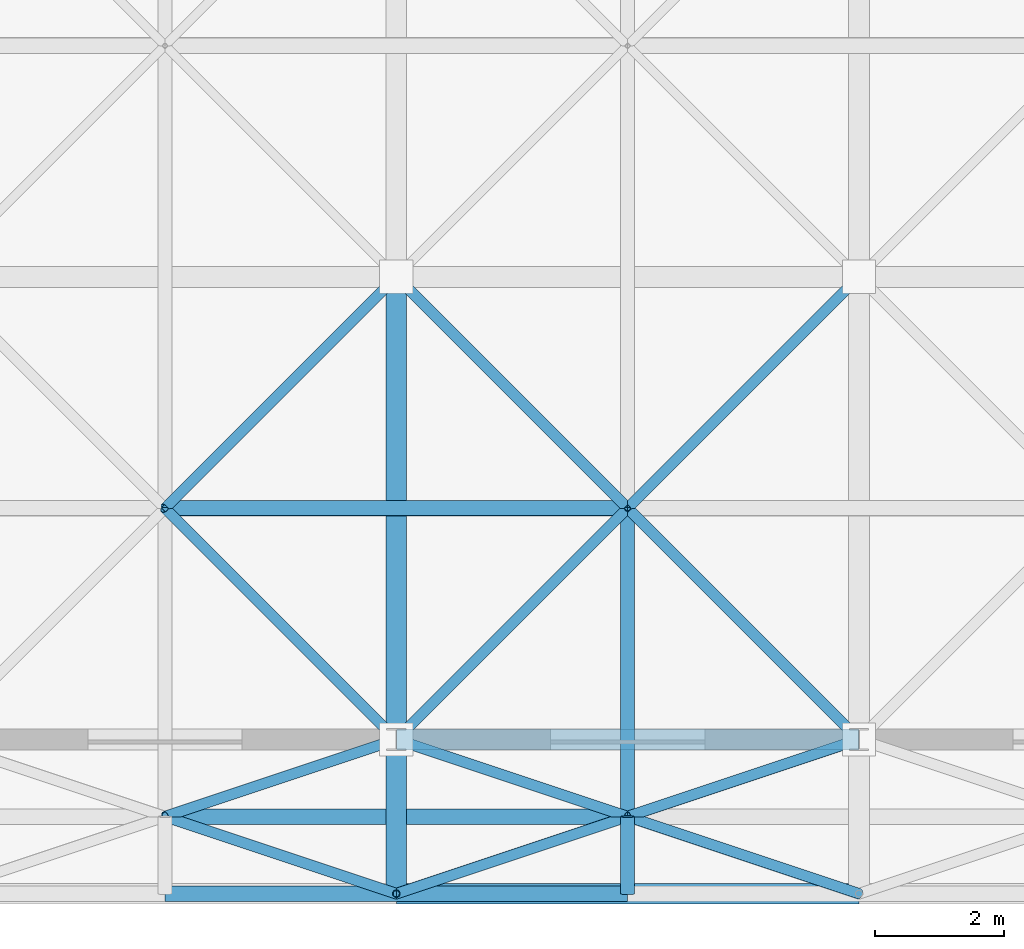
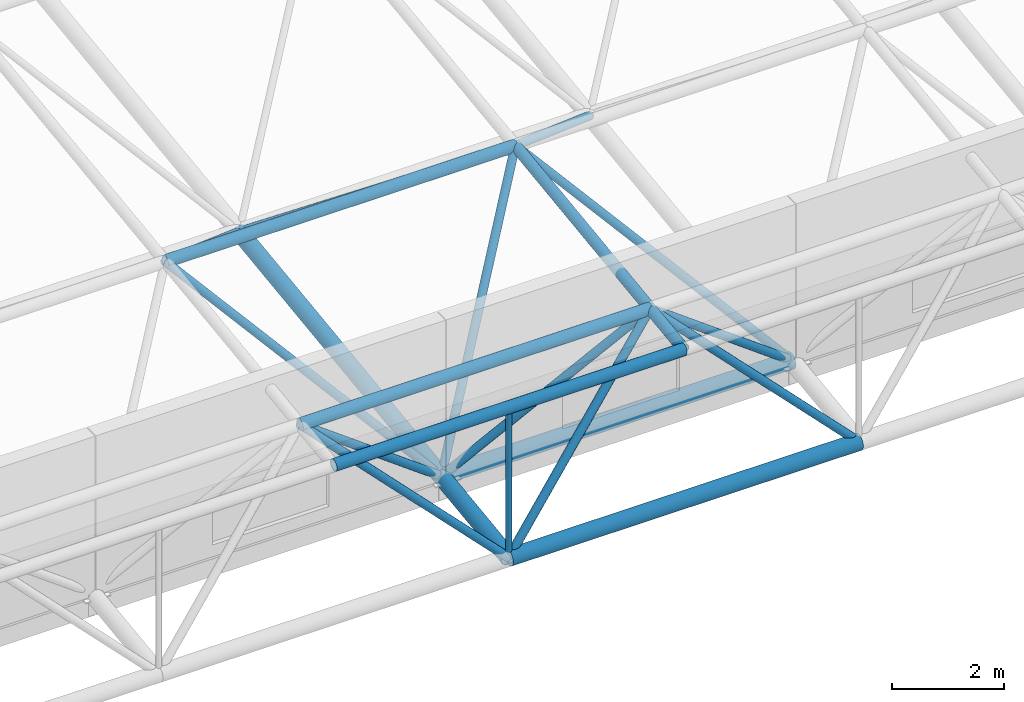
# One storey, part 45 of 103: 22 members.
"""IFC4 building model written with IfcOpenShell, lengths in metres."""

from ifc_helpers import new_model, si_unit, direction, frame, origin, origin_2d, place, context, subcontext, project, spatial, hollow_circle, extrude, material, material_profile, profile_set, type_object, element, save


model = new_model("IFC4")

# Units and contexts
model_context = context("Model", 3, precision=1e-05, world=origin(), true_north=direction((0.0, 1.0)))
body_context = subcontext(model_context, "Body", "Model", "MODEL_VIEW")
ifc_project = project(units=[si_unit("LENGTHUNIT", "METRE"), si_unit("AREAUNIT", "SQUARE_METRE"), si_unit("VOLUMEUNIT", "CUBIC_METRE"), si_unit("PLANEANGLEUNIT", "RADIAN"), si_unit("MASSUNIT", "GRAM", prefix="KILO")], contexts=[model_context])

# Site, building, storey
site_placement = place(None, origin())
site = spatial("IfcSite", under=ifc_project, at=site_placement, CompositionType="ELEMENT")
building_placement = place(site_placement, origin())
building = spatial("IfcBuilding", under=site, at=building_placement, Name="Thalmaran Polytechnic", CompositionType="ELEMENT")
storey_placement = place(building_placement, frame((0.0, 0.0, 14.39990234375)))
storey = spatial("IfcBuildingStorey", under=building, at=storey_placement, Name="L03", CompositionType="ELEMENT", Elevation=14.39990234375)

# Members
ifc_material = material(Name="Steel S355", Category="steel")
ifc_material_profile_1 = material_profile(ifc_material, hollow_circle(Radius=0.161865234375, WallThickness=0.012451171875, at=origin_2d()), Name="CHS 323.9x12.5")
ifc_profile_set_1 = profile_set([ifc_material_profile_1], Name="Steel S355")
member_type_1 = type_object("IfcMemberType", Name="MB-SFC0", PredefinedType="CHORD", material=ifc_profile_set_1)
member_1_placement = place(storey_placement, frame((129.60009765625, 0.0, 0.380126953125), z_axis=(1.0, 0.0, 0.0), x_axis=(0.0, 1.0, 0.0)))
element("IfcMember", 1, at=member_1_placement, inside=storey, type_object=member_type_1, Name="Space-Frame Bottom Chord X (3,1)", PredefinedType="CHORD", context=body_context, shape_type="SweptSolid", body=[
    extrude(hollow_circle(Radius=0.161865234375, WallThickness=0.012451171875, at=origin_2d()), origin(), (0.0, 0.0, 1.0), 7.199951171875),
])
ifc_material_profile_2 = material_profile(ifc_material, hollow_circle(Radius=0.122314453125, WallThickness=0.010009765625, at=origin_2d()), Name="CHS 244.5x10.0")
ifc_profile_set_2 = profile_set([ifc_material_profile_2], Name="Steel S355")
member_type_2 = type_object("IfcMemberType", Name="MB-SFC1", PredefinedType="CHORD", material=ifc_profile_set_2)
for number, where, z_axis, x_axis, name in (
    (2, (126.0, -2.39990234375, 3.334228515625), (1.0, 0.0, 0.0), (0.0, 1.0, 0.0), "Space-Frame Top Chord X (3,0)"),
    (3, (126.0, -1.199951171875, 3.4921875), (1.0, 0.0, 0.0), (0.0, 1.0, 0.0), "Space-Frame Top Chord X (3,1)"),
    (4, (126.0, 3.60009765625, 4.1240234375), (1.0, 0.0, 0.0), (0.0, 1.0, 0.0), "Space-Frame Top Chord X (3,2)"),
):
    element("IfcMember", number, at=place(storey_placement, frame(where, z_axis=z_axis, x_axis=x_axis)), inside=storey, type_object=member_type_2, Name=name, PredefinedType="CHORD", context=body_context, shape_type="SweptSolid", body=[
        extrude(hollow_circle(Radius=0.122314453125, WallThickness=0.010009765625, at=origin_2d()), origin(), (0.0, 0.0, 1.0), 7.199951171875),
    ])
ifc_material_profile_3 = material_profile(ifc_material, hollow_circle(Radius=0.109619140625, WallThickness=0.010009765625, at=origin_2d()), Name="CHS 219.1x10.0")
ifc_profile_set_3 = profile_set([ifc_material_profile_3], Name="Steel S355")
member_type_3 = type_object("IfcMemberType", Name="MB-SFC2", PredefinedType="CHORD", material=ifc_profile_set_3)
member_2_placement = place(storey_placement, frame((133.199951171875, -2.39990234375, 3.334228515625), z_axis=(0.0, 0.99144674145, 0.130511910828), x_axis=(-1.0, 0.0, 0.0)))
element("IfcMember", 5, at=member_2_placement, inside=storey, type_object=member_type_3, Name="Space-Frame Top Chord Y (4,0)", PredefinedType="CHORD", context=body_context, shape_type="SweptSolid", body=[
    extrude(hollow_circle(Radius=0.109619140625, WallThickness=0.010009765625, at=origin_2d()), origin(), (0.0, 0.0, 1.0), 1.210205078125),
])
member_3_placement = place(storey_placement, frame((133.199951171875, -1.199951171875, 3.4921875), z_axis=(0.0, 0.991447600372, 0.130505385777), x_axis=(-1.0, 0.0, 0.0)))
element("IfcMember", 6, at=member_3_placement, inside=storey, type_object=member_type_3, Name="Space-Frame Top Chord Y (4,1)", PredefinedType="CHORD", context=body_context, shape_type="SweptSolid", body=[
    extrude(hollow_circle(Radius=0.109619140625, WallThickness=0.010009765625, at=origin_2d()), origin(), (0.0, 0.0, 1.0), 4.841552734375),
])
ifc_material_profile_4 = material_profile(ifc_material, hollow_circle(Radius=0.161865234375, WallThickness=0.012451171875, at=origin_2d()), Name="CHS 323.9x12.5")
ifc_profile_set_4 = profile_set([ifc_material_profile_4], Name="Steel S355")
member_type_4 = type_object("IfcMemberType", Name="MB-SFC4", PredefinedType="CHORD", material=ifc_profile_set_4)
member_4_placement = place(storey_placement, frame((129.60009765625, -2.39990234375, 0.064208984375), z_axis=(1.0, 0.0, 0.0), x_axis=(0.0, 1.0, 0.0)))
element("IfcMember", 7, at=member_4_placement, inside=storey, type_object=member_type_4, Name="Space-Frame Bottom Chord X (3,0)", PredefinedType="CHORD", context=body_context, shape_type="SweptSolid", body=[
    extrude(hollow_circle(Radius=0.161865234375, WallThickness=0.012451171875, at=origin_2d()), origin(), (0.0, 0.0, 1.0), 7.199951171875),
])
member_5_placement = place(storey_placement, frame((129.60009765625, -2.39990234375, 0.064208984375), z_axis=(0.0, 0.99144674145, 0.130511910828), x_axis=(-1.0, 0.0, 0.0)))
element("IfcMember", 8, at=member_5_placement, inside=storey, type_object=member_type_4, Name="Space-Frame Bottom Chord Y (3,0)", PredefinedType="CHORD", context=body_context, shape_type="SweptSolid", body=[
    extrude(hollow_circle(Radius=0.161865234375, WallThickness=0.012451171875, at=origin_2d()), origin(), (0.0, 0.0, 1.0), 2.420654296875),
])
member_6_placement = place(storey_placement, frame((129.60009765625, 0.0, 0.380126953125), z_axis=(0.0, 0.991447314079, 0.130507560722), x_axis=(-1.0, 0.0, 0.0)))
element("IfcMember", 9, at=member_6_placement, inside=storey, type_object=member_type_4, Name="Space-Frame Bottom Chord Y (3,1)", PredefinedType="CHORD", context=body_context, shape_type="SweptSolid", body=[
    extrude(hollow_circle(Radius=0.161865234375, WallThickness=0.012451171875, at=origin_2d()), origin(), (0.0, 0.0, 1.0), 7.261962890625),
])
ifc_material_profile_5 = material_profile(ifc_material, hollow_circle(Radius=0.084228515625, WallThickness=0.008056640625, at=origin_2d()), Name="CHS 168.3x8.0")
ifc_profile_set_5 = profile_set([ifc_material_profile_5], Name="Steel S355")
member_type_5 = type_object("IfcMemberType", Name="MB-SFD1", PredefinedType="BRACE", material=ifc_profile_set_5)
member_7_placement = place(storey_placement, frame((129.60009765625, -2.39990234375, 0.064208984375), z_axis=(-0.703987521352, 0.234646593479, 0.670330176815), x_axis=(-0.316208465333, -0.948689731394, 0.0)))
element("IfcMember", 10, at=member_7_placement, inside=storey, type_object=member_type_5, Name="Space-Frame Web Diagonal (2,0)-2", PredefinedType="BRACE", context=body_context, shape_type="SweptSolid", body=[
    extrude(hollow_circle(Radius=0.084228515625, WallThickness=0.008056640625, at=origin_2d()), origin(), (0.0, 0.0, 1.0), 5.11376953125),
])
member_8_placement = place(storey_placement, frame((129.60009765625, 0.0, 0.380126953125), z_axis=(-0.733561258825, -0.244503837456, 0.634118090753), x_axis=(0.316208465333, -0.948689731394, 0.0)))
element("IfcMember", 11, at=member_8_placement, inside=storey, type_object=member_type_5, Name="Space-Frame Web Diagonal (2,0)-4", PredefinedType="BRACE", context=body_context, shape_type="SweptSolid", body=[
    extrude(hollow_circle(Radius=0.084228515625, WallThickness=0.008056640625, at=origin_2d()), origin(), (0.0, 0.0, 1.0), 4.90771484375),
])
member_9_placement = place(storey_placement, frame((129.60009765625, 0.0, 0.380126953125), z_axis=(-0.569665890713, 0.569665890713, 0.592420075552), x_axis=(-0.707106781187, -0.707106781187, 0.0)))
element("IfcMember", 12, at=member_9_placement, inside=storey, type_object=member_type_5, Name="Space-Frame Web Diagonal (2,1)-2", PredefinedType="BRACE", context=body_context, shape_type="SweptSolid", body=[
    extrude(hollow_circle(Radius=0.084228515625, WallThickness=0.008056640625, at=origin_2d()), origin(), (0.0, 0.0, 1.0), 6.319580078125),
])
member_10_placement = place(storey_placement, frame((129.60009765625, 7.199951171875, 1.327880859375), z_axis=(-0.619803774917, -0.619761742923, 0.481392420597), x_axis=(0.707082803744, -0.707130757816, 0.0)))
element("IfcMember", 13, at=member_10_placement, inside=storey, type_object=member_type_5, Name="Space-Frame Web Diagonal (2,1)-4", PredefinedType="BRACE", context=body_context, shape_type="SweptSolid", body=[
    extrude(hollow_circle(Radius=0.084228515625, WallThickness=0.008056640625, at=origin_2d()), origin(), (0.0, 0.0, 1.0), 5.808349609375),
])
for number, where, z_axis, x_axis, name in (
    (14, (129.60009765625, -2.39990234375, 0.064208984375), (0.703963439546, 0.234654479849, 0.670352706319), (-0.316227766017, 0.948683298051, 0.0), "Space-Frame Web Diagonal (3,0)-1"),
    (15, (136.800048828125, -2.39990234375, 0.064208984375), (-0.703987521352, 0.234646593479, 0.670330176815), (-0.316208465333, -0.948689731394, 0.0), "Space-Frame Web Diagonal (3,0)-2"),
):
    element("IfcMember", number, at=place(storey_placement, frame(where, z_axis=z_axis, x_axis=x_axis)), inside=storey, type_object=member_type_5, Name=name, PredefinedType="BRACE", context=body_context, shape_type="SweptSolid", body=[
        extrude(hollow_circle(Radius=0.084228515625, WallThickness=0.008056640625, at=origin_2d()), origin(), (0.0, 0.0, 1.0), 5.11376953125),
    ])
member_11_placement = place(storey_placement, frame((129.60009765625, 0.0, 0.380126953125), z_axis=(0.733538280282, -0.244512760094, 0.634141231519), x_axis=(0.316227766017, 0.948683298051, 0.0)))
element("IfcMember", 16, at=member_11_placement, inside=storey, type_object=member_type_5, Name="Space-Frame Web Diagonal (3,0)-3", PredefinedType="BRACE", context=body_context, shape_type="SweptSolid", body=[
    extrude(hollow_circle(Radius=0.084228515625, WallThickness=0.008056640625, at=origin_2d()), origin(), (0.0, 0.0, 1.0), 4.907470703125),
])
member_12_placement = place(storey_placement, frame((136.800048828125, 0.0, 0.380126953125), z_axis=(-0.733561258825, -0.244503837456, 0.634118090753), x_axis=(0.316208465333, -0.948689731394, 0.0)))
element("IfcMember", 17, at=member_12_placement, inside=storey, type_object=member_type_5, Name="Space-Frame Web Diagonal (3,0)-4", PredefinedType="BRACE", context=body_context, shape_type="SweptSolid", body=[
    extrude(hollow_circle(Radius=0.084228515625, WallThickness=0.008056640625, at=origin_2d()), origin(), (0.0, 0.0, 1.0), 4.90771484375),
])
for number, where, z_axis, x_axis, name in (
    (18, (129.60009765625, 0.0, 0.380126953125), (0.569639794751, 0.569678427494, 0.592433113089), (-0.707130757816, 0.707082803744, 0.0), "Space-Frame Web Diagonal (3,1)-1"),
    (19, (136.800048828125, 0.0, 0.380126953125), (-0.569665890713, 0.569665890713, 0.592420075552), (-0.707106781187, -0.707106781187, 0.0), "Space-Frame Web Diagonal (3,1)-2"),
):
    element("IfcMember", number, at=place(storey_placement, frame(where, z_axis=z_axis, x_axis=x_axis)), inside=storey, type_object=member_type_5, Name=name, PredefinedType="BRACE", context=body_context, shape_type="SweptSolid", body=[
        extrude(hollow_circle(Radius=0.084228515625, WallThickness=0.008056640625, at=origin_2d()), origin(), (0.0, 0.0, 1.0), 6.319580078125),
    ])
for number, where, z_axis, x_axis, name in (
    (20, (129.60009765625, 7.199951171875, 1.327880859375), (0.619777888784, -0.619777888784, 0.481404961699), (0.707106781187, 0.707106781187, 0.0), "Space-Frame Web Diagonal (3,1)-3"),
    (21, (136.800048828125, 7.199951171875, 1.327880859375), (-0.619803774917, -0.619761742923, 0.481392420597), (0.707082803744, -0.707130757816, 0.0), "Space-Frame Web Diagonal (3,1)-4"),
):
    element("IfcMember", number, at=place(storey_placement, frame(where, z_axis=z_axis, x_axis=x_axis)), inside=storey, type_object=member_type_5, Name=name, PredefinedType="BRACE", context=body_context, shape_type="SweptSolid", body=[
        extrude(hollow_circle(Radius=0.084228515625, WallThickness=0.008056640625, at=origin_2d()), origin(), (0.0, 0.0, 1.0), 5.808349609375),
    ])
ifc_material_profile_6 = material_profile(ifc_material, hollow_circle(Radius=0.05712890625, WallThickness=0.00634765625, at=origin_2d()), Name="CHS 114.3x6.3")
ifc_profile_set_6 = profile_set([ifc_material_profile_6], Name="Steel S355")
member_type_6 = type_object("IfcMemberType", Name="MB-SFD3", PredefinedType="BRACE", material=ifc_profile_set_6)
member_13_placement = place(storey_placement, frame((129.60009765625, -2.39990234375, 0.064208984375), z_axis=(0.0, 0.0, 1.0), x_axis=(1.0, 0.0, 0.0)))
element("IfcMember", 22, at=member_13_placement, inside=storey, type_object=member_type_6, Name="Space-Frame Eave Post (3,0)", PredefinedType="BRACE", context=body_context, shape_type="SweptSolid", body=[
    extrude(hollow_circle(Radius=0.05712890625, WallThickness=0.00634765625, at=origin_2d()), origin(), (0.0, 0.0, 1.0), 3.27001953125),
])

save(model, "model.ifc")
